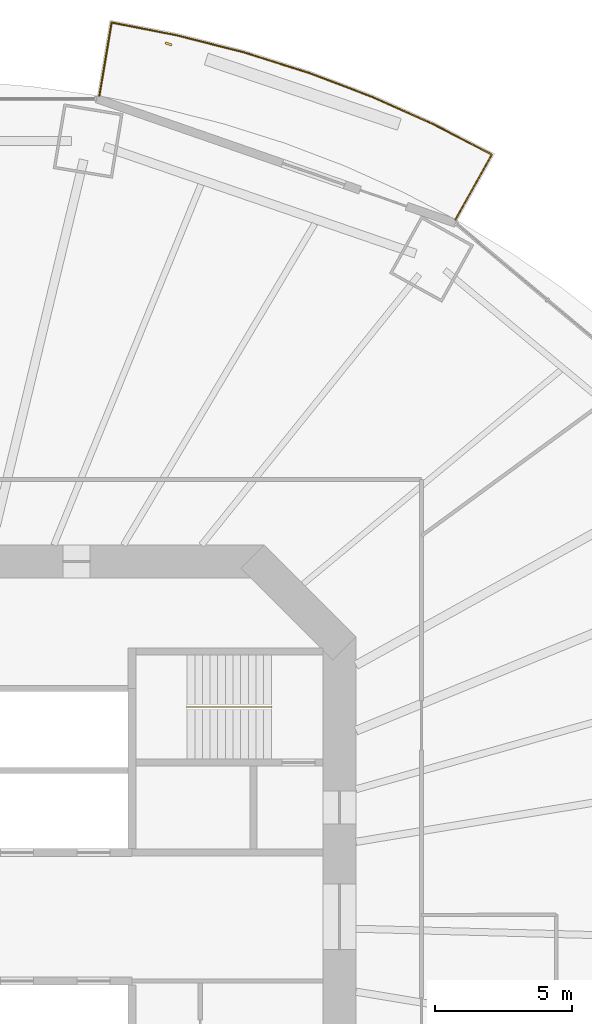
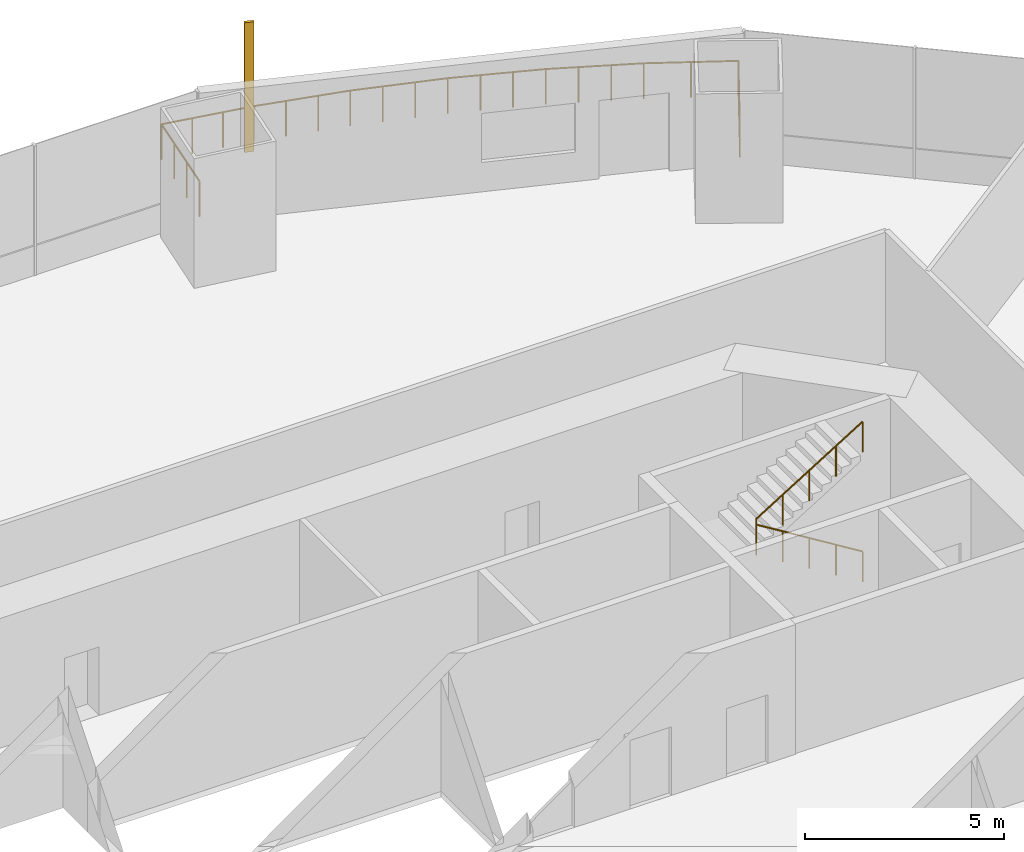
# One storey, part 21 of 23: 2 railings, 1 shading device.
"""IFC4 building model written with IfcOpenShell, lengths in metres."""

from ifc_helpers import new_model, si_unit, direction, frame, origin, origin_2d, place, context, subcontext, project, spatial, rectangle, circle, extrude, material, material_profile, profile_set, type_object, element, save


model = new_model("IFC4")

# Units and contexts
model_context = context("Model", 3, precision=1e-05, world=origin(), true_north=direction((0.0, 1.0)))
body_context = subcontext(model_context, "Body", "Model", "MODEL_VIEW")
ifc_project = project(units=[si_unit("LENGTHUNIT", "METRE"), si_unit("AREAUNIT", "SQUARE_METRE"), si_unit("VOLUMEUNIT", "CUBIC_METRE"), si_unit("PLANEANGLEUNIT", "RADIAN"), si_unit("MASSUNIT", "GRAM", prefix="KILO")], contexts=[model_context])

# Site, building, storey
site_placement = place(None, origin())
site = spatial("IfcSite", under=ifc_project, at=site_placement, CompositionType="ELEMENT")
building_placement = place(site_placement, origin())
building = spatial("IfcBuilding", under=site, at=building_placement, Name="Marenthal Gate Tower", CompositionType="ELEMENT")
storey_placement = place(building_placement, frame((0.0, 0.0, 45.449951171875)))
storey = spatial("IfcBuildingStorey", under=building, at=storey_placement, Name="L07", CompositionType="ELEMENT", Elevation=45.449951171875)

# Railings
ifc_material_1 = material(Name="Stainless steel", Category="steel")
railing_type_1 = type_object("IfcRailingType", Name="Balcony guard 1100", PredefinedType="GUARDRAIL", material=ifc_material_1)
railing_1_placement = place(storey_placement, frame((7.2109375, 30.033203125, 0.0)))
element("IfcRailing", 1, at=railing_1_placement, inside=storey, type_object=railing_type_1, Name="Balcony guard L07 bay 3", PredefinedType="GUARDRAIL", context=body_context, shape_type="SweptSolid", body=[
    extrude(circle(Radius=0.02392578125, at=origin_2d()), frame((0.0, 0.0, 1.076171875), z_axis=(0.164512163182, 0.986265227064, -0.014719036968), x_axis=(-0.986372081632, 0.164529986862, 0.0)), (0.0, 0.0, 1.0), 2.72021484375),
    extrude(circle(Radius=0.02392578125, at=origin_2d()), frame((0.447509765625, 2.682861328125, 1.0361328125), z_axis=(0.981261967917, -0.19267835976, 0.0), x_axis=(0.19267835976, 0.981261967917, 0.0)), (0.0, 0.0, 1.0), 2.445556640625),
    extrude(circle(Radius=0.02392578125, at=origin_2d()), frame((2.84716796875, 2.211669921875, 1.0361328125), z_axis=(0.969181494284, -0.246347784927, 0.0), x_axis=(0.246347784927, 0.969181494284, 0.0)), (0.0, 0.0, 1.0), 2.515380859375),
    extrude(circle(Radius=0.02392578125, at=origin_2d()), frame((5.284912109375, 1.592041015625, 1.0361328125), z_axis=(0.953671084495, -0.30085123001, 0.0), x_axis=(0.30085123001, 0.953671084495, 0.0)), (0.0, 0.0, 1.0), 2.502685546875),
    extrude(circle(Radius=0.02392578125, at=origin_2d()), frame((7.671630859375, 0.839111328125, 1.0361328125), z_axis=(0.934902124895, -0.354905645019, 0.0), x_axis=(0.354905645019, 0.934902124895, 0.0)), (0.0, 0.0, 1.0), 2.488037109375),
    extrude(circle(Radius=0.02392578125, at=origin_2d()), frame((9.997802734375, -0.0439453125, 1.0361328125), z_axis=(0.912605925031, -0.408840342429, 0.0), x_axis=(0.408840342429, 0.912605925031, 0.0)), (0.0, 0.0, 1.0), 2.4716796875),
    extrude(circle(Radius=0.02392578125, at=origin_2d()), frame((12.25341796875, -1.054443359375, 1.0361328125), z_axis=(0.887280789471, -0.461229661487, 0.0), x_axis=(0.461229661487, 0.887280789471, 0.0)), (0.0, 0.0, 1.0), 2.37353515625),
    extrude(circle(Radius=0.02392578125, at=origin_2d()), frame((14.359375, -2.149169921875, 1.0361328125), z_axis=(-0.488779989422, -0.872282908041, 0.014719044852), x_axis=(0.872377413566, -0.488832945188, 0.0)), (0.0, 0.0, 1.0), 2.72021484375),
    extrude(circle(Radius=0.02099609375, at=origin_2d()), origin(), (0.0, 0.0, 1.0), 1.052001953125),
    extrude(circle(Radius=0.02099609375, at=origin_2d()), frame((0.149169921875, 0.894287109375, -0.013427734375)), (0.0, 0.0, 1.0), 1.052001953125),
    extrude(circle(Radius=0.02099609375, at=origin_2d()), frame((0.29833984375, 1.78857421875, -0.026611328125)), (0.0, 0.0, 1.0), 1.052001953125),
    extrude(circle(Radius=0.02099609375, at=origin_2d()), frame((0.447509765625, 2.682861328125, -0.0400390625)), (0.0, 0.0, 1.0), 1.052001953125),
    extrude(circle(Radius=0.02099609375, at=origin_2d()), frame((1.247314453125, 2.52587890625, -0.0400390625)), (0.0, 0.0, 1.0), 1.052001953125),
    extrude(circle(Radius=0.02099609375, at=origin_2d()), frame((2.04736328125, 2.36865234375, -0.0400390625)), (0.0, 0.0, 1.0), 1.052001953125),
    extrude(circle(Radius=0.02099609375, at=origin_2d()), frame((2.84716796875, 2.211669921875, -0.0400390625)), (0.0, 0.0, 1.0), 1.052001953125),
    extrude(circle(Radius=0.02099609375, at=origin_2d()), frame((3.65966796875, 2.005126953125, -0.0400390625)), (0.0, 0.0, 1.0), 1.052001953125),
    extrude(circle(Radius=0.02099609375, at=origin_2d()), frame((4.472412109375, 1.798583984375, -0.0400390625)), (0.0, 0.0, 1.0), 1.052001953125),
    extrude(circle(Radius=0.02099609375, at=origin_2d()), frame((5.284912109375, 1.592041015625, -0.0400390625)), (0.0, 0.0, 1.0), 1.052001953125),
    extrude(circle(Radius=0.02099609375, at=origin_2d()), frame((6.08056640625, 1.341064453125, -0.0400390625)), (0.0, 0.0, 1.0), 1.052001953125),
    extrude(circle(Radius=0.02099609375, at=origin_2d()), frame((6.8759765625, 1.090087890625, -0.0400390625)), (0.0, 0.0, 1.0), 1.052001953125),
    extrude(circle(Radius=0.02099609375, at=origin_2d()), frame((7.671630859375, 0.839111328125, -0.0400390625)), (0.0, 0.0, 1.0), 1.052001953125),
    extrude(circle(Radius=0.02099609375, at=origin_2d()), frame((8.447021484375, 0.544677734375, -0.0400390625)), (0.0, 0.0, 1.0), 1.052001953125),
    extrude(circle(Radius=0.02099609375, at=origin_2d()), frame((9.222412109375, 0.25048828125, -0.0400390625)), (0.0, 0.0, 1.0), 1.052001953125),
    extrude(circle(Radius=0.02099609375, at=origin_2d()), frame((9.997802734375, -0.0439453125, -0.0400390625)), (0.0, 0.0, 1.0), 1.052001953125),
    extrude(circle(Radius=0.02099609375, at=origin_2d()), frame((10.749755859375, -0.380859375, -0.0400390625)), (0.0, 0.0, 1.0), 1.052001953125),
    extrude(circle(Radius=0.02099609375, at=origin_2d()), frame((11.50146484375, -0.717529296875, -0.0400390625)), (0.0, 0.0, 1.0), 1.052001953125),
    extrude(circle(Radius=0.02099609375, at=origin_2d()), frame((12.25341796875, -1.054443359375, -0.0400390625)), (0.0, 0.0, 1.0), 1.052001953125),
    extrude(circle(Radius=0.02099609375, at=origin_2d()), frame((13.306396484375, -1.601806640625, -0.0400390625)), (0.0, 0.0, 1.0), 1.052001953125),
    extrude(circle(Radius=0.02099609375, at=origin_2d()), frame((14.359375, -2.149169921875, -0.0400390625)), (0.0, 0.0, 1.0), 1.052001953125),
    extrude(circle(Radius=0.02099609375, at=origin_2d()), frame((13.916259765625, -2.940185546875, -0.026611328125)), (0.0, 0.0, 1.0), 1.052001953125),
    extrude(circle(Radius=0.02099609375, at=origin_2d()), frame((13.472900390625, -3.73095703125, -0.013427734375)), (0.0, 0.0, 1.0), 1.052001953125),
    extrude(circle(Radius=0.02099609375, at=origin_2d()), frame((13.02978515625, -4.52197265625, 0.0)), (0.0, 0.0, 1.0), 1.052001953125),
])
ifc_material_2 = material(Name="Stainless steel", Category="steel")
railing_type_2 = type_object("IfcRailingType", Name="Stair handrail", PredefinedType="HANDRAIL", material=ifc_material_2)
railing_2_placement = place(storey_placement, frame((13.5, 7.675048828125, 0.1728515625)))
element("IfcRailing", 2, at=railing_2_placement, inside=storey, type_object=railing_type_2, Name="Handrail ST3", PredefinedType="HANDRAIL", context=body_context, shape_type="SweptSolid", body=[
    extrude(circle(Radius=0.0224609375, at=origin_2d()), frame((0.0, 0.0, 0.927490234375), z_axis=(-0.850835241893, 0.0, 0.525432575268), x_axis=(0.0, -1.0, 0.0)), (0.0, 0.0, 1.0), 3.6201171875),
    extrude(circle(Radius=0.0224609375, at=origin_2d()), frame((-3.080078125, 0.0, 2.82958984375), z_axis=(0.0, 0.0, 1.0), x_axis=(1.0, 0.0, 0.0)), (0.0, 0.0, 1.0), 0.173095703125),
    extrude(circle(Radius=0.0224609375, at=origin_2d()), frame((-3.080078125, 0.0, 3.002685546875), z_axis=(0.850835241893, 0.0, 0.525432575268), x_axis=(0.0, 1.0, 0.0)), (0.0, 0.0, 1.0), 3.6201171875),
    extrude(circle(Radius=0.02001953125, at=origin_2d()), origin(), (0.0, 0.0, 1.0), 0.905029296875),
    extrude(circle(Radius=0.02001953125, at=origin_2d()), frame((-0.77001953125, 0.0, 0.4755859375)), (0.0, 0.0, 1.0), 0.905029296875),
    extrude(circle(Radius=0.02001953125, at=origin_2d()), frame((-1.5400390625, 0.0, 0.951171875)), (0.0, 0.0, 1.0), 0.905029296875),
    extrude(circle(Radius=0.02001953125, at=origin_2d()), frame((-2.31005859375, 0.0, 1.426513671875)), (0.0, 0.0, 1.0), 0.905029296875),
    extrude(circle(Radius=0.02001953125, at=origin_2d()), frame((-3.080078125, 0.0, 1.902099609375)), (0.0, 0.0, 1.0), 0.905029296875),
    extrude(circle(Radius=0.02001953125, at=origin_2d()), frame((-3.080078125, 0.0, 2.0751953125)), (0.0, 0.0, 1.0), 0.905029296875),
    extrude(circle(Radius=0.02001953125, at=origin_2d()), frame((-2.31005859375, 0.0, 2.55078125)), (0.0, 0.0, 1.0), 0.905029296875),
    extrude(circle(Radius=0.02001953125, at=origin_2d()), frame((-1.5400390625, 0.0, 3.0263671875)), (0.0, 0.0, 1.0), 0.905029296875),
    extrude(circle(Radius=0.02001953125, at=origin_2d()), frame((-0.77001953125, 0.0, 3.501708984375)), (0.0, 0.0, 1.0), 0.905029296875),
    extrude(circle(Radius=0.02001953125, at=origin_2d()), frame((0.0, 0.0, 3.977294921875)), (0.0, 0.0, 1.0), 0.905029296875),
])

# Shading device
ifc_material_3 = material(Name="Terracotta", Category="masonry")
ifc_material_profile = material_profile(ifc_material_3, rectangle(XDim=0.25, YDim=0.080078125, at=origin_2d()), Name="Terracotta baguette 250x80")
ifc_profile_set = profile_set([ifc_material_profile], Name="Terracotta")
shading_device_type = type_object("IfcShadingDeviceType", Name="Terracotta BAGUETTE SCREEN 250x80", PredefinedType="USERDEFINED", material=ifc_profile_set)
shading_device_placement = place(storey_placement, frame((9.740234375, 31.9326171875, -0.0400390625), z_axis=(0.0, 0.0, 1.0), x_axis=(-0.944690686162, 0.327962661713, 0.0)))
element("IfcShadingDevice", 3, at=shading_device_placement, inside=storey, type_object=shading_device_type, Name="Terracotta BAGUETTE L07 bay 3R", ObjectType="BAGUETTE SCREEN", PredefinedType="USERDEFINED", context=body_context, shape_type="SweptSolid", body=[
    extrude(rectangle(XDim=0.25, YDim=0.080078125, at=origin_2d()), origin(), (0.0, 0.0, 1.0), 3.969970703125),
])

save(model, "model.ifc")
